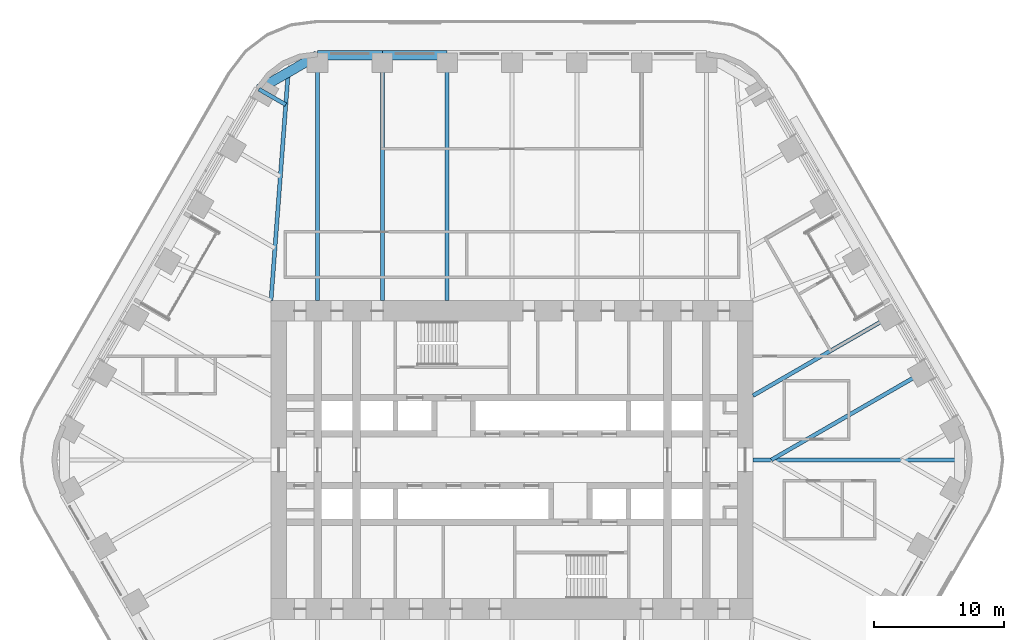
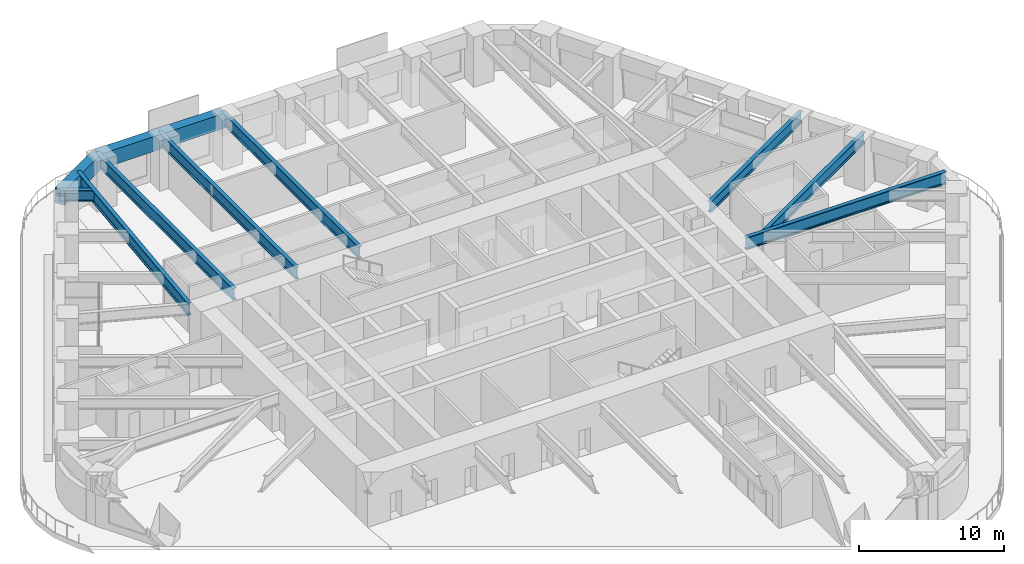
# One storey, part 10 of 24: 11 beams.
"""IFC4 building model written with IfcOpenShell, lengths in metres."""

from ifc_helpers import new_model, si_unit, direction, frame, origin, origin_2d, place, context, subcontext, project, spatial, rectangle, i_section, extrude, material, material_profile, profile_set, type_object, element, save


model = new_model("IFC4")

# Units and contexts
model_context = context("Model", 3, precision=1e-05, world=origin(), true_north=direction((0.0, 1.0)))
body_context = subcontext(model_context, "Body", "Model", "MODEL_VIEW")
ifc_project = project(units=[si_unit("LENGTHUNIT", "METRE"), si_unit("AREAUNIT", "SQUARE_METRE"), si_unit("VOLUMEUNIT", "CUBIC_METRE"), si_unit("PLANEANGLEUNIT", "RADIAN"), si_unit("MASSUNIT", "GRAM", prefix="KILO")], contexts=[model_context])

# Site, building, storey
site_placement = place(None, origin())
site = spatial("IfcSite", under=ifc_project, at=site_placement, CompositionType="ELEMENT")
building_placement = place(site_placement, origin())
building = spatial("IfcBuilding", under=site, at=building_placement, Name="Tarfa Lantern Tower", CompositionType="ELEMENT")
storey_placement = place(building_placement, frame((0.0, 0.0, 144.699951171875)))
storey = spatial("IfcBuildingStorey", under=building, at=storey_placement, Name="L32", CompositionType="ELEMENT", Elevation=144.699951171875)

# Beams
ifc_material_1 = material(Name="Concrete C80/95", Category="concrete")
ifc_material_profile_1 = material_profile(ifc_material_1, rectangle(XDim=0.75, YDim=1.25, at=origin_2d()), Name="RC 750x1250")
ifc_profile_set_1 = profile_set([ifc_material_profile_1], Name="Concrete C80/95")
beam_type_1 = type_object("IfcBeamType", Name="EB2 RC 750x1250", PredefinedType="SPANDREL", material=ifc_profile_set_1)
for number, where, z_axis, x_axis, name in (
    (1, (-5.003662109375, 31.219970703125, 3.375), (-1.0, 0.0, 0.0), (0.0, -1.0, 0.0), "Edge beam N4"),
    (2, (-10.00732421875, 31.219970703125, 3.375), (-1.0, 0.0, 0.0), (0.0, -1.0, 0.0), "Edge beam N5"),
):
    element("IfcBeam", number, at=place(storey_placement, frame(where, z_axis=z_axis, x_axis=x_axis)), inside=storey, type_object=beam_type_1, Name=name, PredefinedType="SPANDREL", context=body_context, shape_type="SweptSolid", body=[
        extrude(rectangle(XDim=0.75, YDim=1.25, at=origin_2d()), origin(), (0.0, 0.0, 1.0), 5.003662109375),
    ])
beam_1_placement = place(storey_placement, frame((-15.010986328125, 31.219970703125, 3.375), z_axis=(-0.86604150238, -0.499972115377, 0.0), x_axis=(0.499972115377, -0.86604150238, 0.0)))
element("IfcBeam", 3, at=beam_1_placement, inside=storey, type_object=beam_type_1, Name="Edge beam N6", PredefinedType="SPANDREL", context=body_context, shape_type="SweptSolid", body=[
    extrude(rectangle(XDim=0.75, YDim=1.25, at=origin_2d()), origin(), (0.0, 0.0, 1.0), 5.219970703125),
])
ifc_material_2 = material(Name="Steel S460M", Category="steel")
ifc_material_profile_2 = material_profile(ifc_material_2, i_section(OverallWidth=0.302001953125, OverallDepth=1.008056640625, WebThickness=0.02099609375, FlangeThickness=0.0400390625, FilletRadius=0.030029296875, at=origin_2d()), Name="UB1016x305x349")
ifc_profile_set_2 = profile_set([ifc_material_profile_2], Name="Steel S460M")
beam_type_2 = type_object("IfcBeamType", Name="UB1016x305x349", PredefinedType="BEAM", material=ifc_profile_set_2)
for number, where, z_axis, x_axis, name in (
    (4, (-5.003662109375, 31.219970703125, 3.49609375), (0.0, -1.0, 0.0), (1.0, 0.0, 0.0), "Floor beam N4"),
    (5, (-10.00732421875, 31.219970703125, 3.49609375), (0.0, -1.0, 0.0), (1.0, 0.0, 0.0), "Floor beam N5"),
    (6, (-15.010986328125, 31.219970703125, 3.49609375), (0.0, -1.0, 0.0), (1.0, 0.0, 0.0), "Floor beam N6"),
):
    element("IfcBeam", number, at=place(storey_placement, frame(where, z_axis=z_axis, x_axis=x_axis)), inside=storey, type_object=beam_type_2, Name=name, PredefinedType="BEAM", context=body_context, shape_type="SweptSolid", body=[
        extrude(i_section(OverallWidth=0.302001953125, OverallDepth=1.008056640625, WebThickness=0.02099609375, FlangeThickness=0.0400390625, FilletRadius=0.030029296875, at=origin_2d()), origin(), (0.0, 0.0, 1.0), 18.919921875),
    ])
ifc_material_profile_3 = material_profile(ifc_material_2, i_section(OverallWidth=0.30859375, OverallDepth=1.036376953125, WebThickness=0.030029296875, FlangeThickness=0.05419921875, FilletRadius=0.030029296875, at=origin_2d()), Name="UB1016x305x487")
ifc_profile_set_3 = profile_set([ifc_material_profile_3], Name="Steel S460M")
beam_type_3 = type_object("IfcBeamType", Name="UB1016x305x487", PredefinedType="BEAM", material=ifc_profile_set_3)
beam_2_placement = place(storey_placement, frame((18.60009765625, 0.0, 3.48193359375), z_axis=(1.0, 0.0, 0.0), x_axis=(0.0, 1.0, 0.0)))
element("IfcBeam", 7, at=beam_2_placement, inside=storey, type_object=beam_type_3, Name="Hip girder E", PredefinedType="BEAM", context=body_context, shape_type="SweptSolid", body=[
    extrude(i_section(OverallWidth=0.30859375, OverallDepth=1.036376953125, WebThickness=0.030029296875, FlangeThickness=0.05419921875, FilletRadius=0.030029296875, at=origin_2d()), origin(), (0.0, 0.0, 1.0), 15.94287109375),
])
beam_3_placement = place(storey_placement, frame((-18.60009765625, 12.300048828125, 3.48193359375), z_axis=(0.075211516041, 0.99716760269, 0.0), x_axis=(-0.99716760269, 0.075211516041, 0.0)))
element("IfcBeam", 8, at=beam_3_placement, inside=storey, type_object=beam_type_3, Name="Hip girder NW", PredefinedType="BEAM", context=body_context, shape_type="SweptSolid", body=[
    extrude(i_section(OverallWidth=0.30859375, OverallDepth=1.036376953125, WebThickness=0.030029296875, FlangeThickness=0.05419921875, FilletRadius=0.030029296875, at=origin_2d()), origin(), (0.0, 0.0, 1.0), 17.6650390625),
])
ifc_material_profile_4 = material_profile(ifc_material_2, i_section(OverallWidth=0.305419921875, OverallDepth=0.91845703125, WebThickness=0.017333984375, FlangeThickness=0.02783203125, FilletRadius=0.01904296875, at=origin_2d()), Name="UB914x305x253")
ifc_profile_set_4 = profile_set([ifc_material_profile_4], Name="Steel S460M")
beam_type_4 = type_object("IfcBeamType", Name="UB914x305x253", PredefinedType="BEAM", material=ifc_profile_set_4)
beam_4_placement = place(storey_placement, frame((32.041015625, 6.943359375, 3.540771484375), z_axis=(-0.866023096411, -0.500003996466, 0.0), x_axis=(0.500003996466, -0.866023096411, 0.0)))
element("IfcBeam", 9, at=beam_4_placement, inside=storey, type_object=beam_type_4, Name="Floor beam NE1", PredefinedType="BEAM", context=body_context, shape_type="SweptSolid", body=[
    extrude(i_section(OverallWidth=0.305419921875, OverallDepth=0.91845703125, WebThickness=0.017333984375, FlangeThickness=0.02783203125, FilletRadius=0.01904296875, at=origin_2d()), origin(), (0.0, 0.0, 1.0), 13.88671875),
])
beam_5_placement = place(storey_placement, frame((29.5390625, 11.276611328125, 3.540771484375), z_axis=(-0.866023362995, -0.500003534735, 0.0), x_axis=(0.500003534735, -0.866023362995, 0.0)))
element("IfcBeam", 10, at=beam_5_placement, inside=storey, type_object=beam_type_4, Name="Floor beam NE2", PredefinedType="BEAM", context=body_context, shape_type="SweptSolid", body=[
    extrude(i_section(OverallWidth=0.305419921875, OverallDepth=0.91845703125, WebThickness=0.017333984375, FlangeThickness=0.02783203125, FilletRadius=0.01904296875, at=origin_2d()), origin(), (0.0, 0.0, 1.0), 12.63134765625),
])
beam_6_placement = place(storey_placement, frame((-19.53173828125, 28.610107421875, 3.540771484375), z_axis=(0.865998640954, -0.500046351717, 0.0), x_axis=(0.500046351717, 0.865998640954, 0.0)))
element("IfcBeam", 11, at=beam_6_placement, inside=storey, type_object=beam_type_4, Name="Floor beam NW0", PredefinedType="BEAM", context=body_context, shape_type="SweptSolid", body=[
    extrude(i_section(OverallWidth=0.305419921875, OverallDepth=0.91845703125, WebThickness=0.017333984375, FlangeThickness=0.02783203125, FilletRadius=0.01904296875, at=origin_2d()), origin(), (0.0, 0.0, 1.0), 2.392333984375),
])

save(model, "model.ifc")
